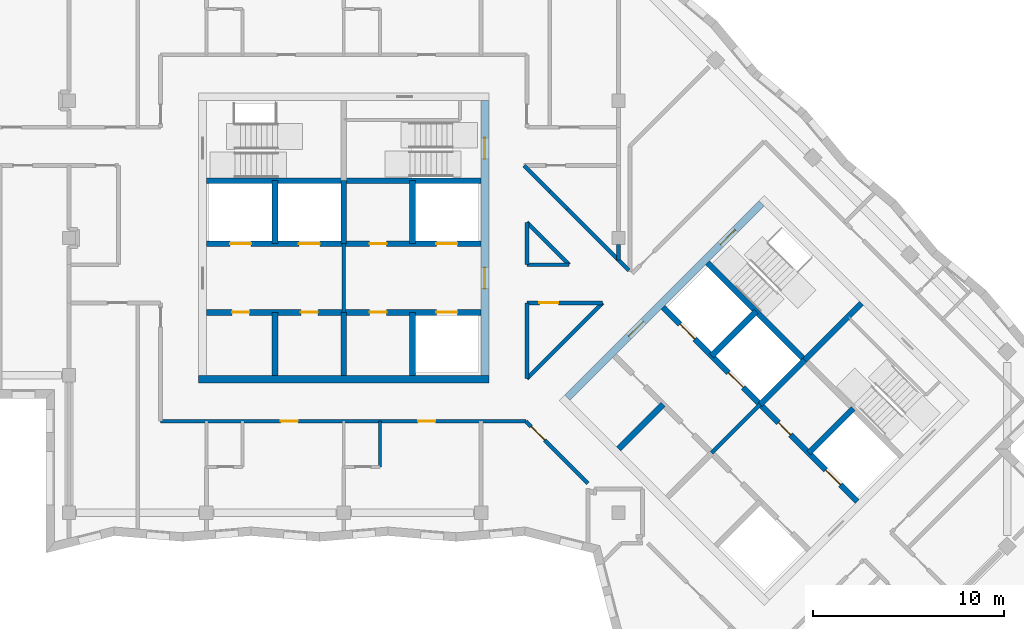
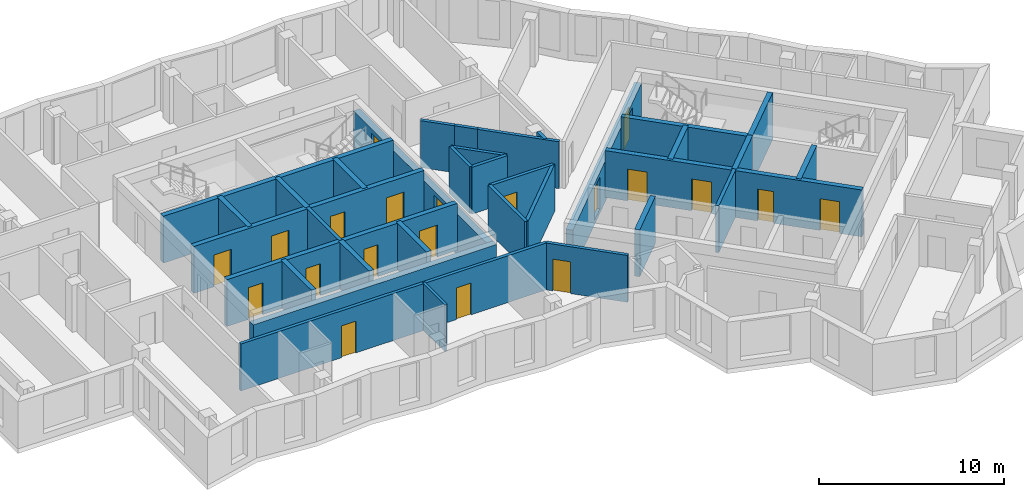
# One storey, part 4 of 13: 35 walls, 20 doors, 20 openings.
"""IFC4 building model written with IfcOpenShell, lengths in metres."""

from ifc_helpers import new_model, si_unit, direction, frame, frame_2d, origin, place, context, subcontext, project, spatial, rectangle, extrude, material, layer, layer_set, type_object, element, fill, save


model = new_model("IFC4")

# Units and contexts
model_context = context("Model", 3, precision=1e-05, world=origin(), true_north=direction((0.0, 1.0)))
body_context = subcontext(model_context, "Body", "Model", "MODEL_VIEW")
ifc_project = project(units=[si_unit("LENGTHUNIT", "METRE"), si_unit("AREAUNIT", "SQUARE_METRE"), si_unit("VOLUMEUNIT", "CUBIC_METRE"), si_unit("PLANEANGLEUNIT", "RADIAN"), si_unit("MASSUNIT", "GRAM", prefix="KILO")], contexts=[model_context])

# Site, building, storey
site_placement = place(None, origin())
site = spatial("IfcSite", under=ifc_project, at=site_placement, CompositionType="ELEMENT")
building_placement = place(site_placement, origin())
building = spatial("IfcBuilding", under=site, at=building_placement, Name="Windrow Commons", CompositionType="ELEMENT")
storey_placement = place(building_placement, frame((0.0, 0.0, 243.8)))
storey = spatial("IfcBuildingStorey", under=building, at=storey_placement, Name="L66", CompositionType="ELEMENT", Elevation=243.8)

# Walls
ifc_material_1 = material(Name="Blockwork partition", Category="masonry")
ifc_layer_1 = layer(ifc_material_1, 0.2)
ifc_layer_set_1 = layer_set([ifc_layer_1], Name="Fire lobby partition 200")
wall_type_1 = type_object("IfcWallType", Name="Fire lobby partition 200", PredefinedType="PARTITIONING", material=ifc_layer_set_1)
for number, where, z_axis, x_axis, name in (
    (1, (64.8, 53.7, 0.0), (0.0, 0.0, 1.0), (0.0, 1.0, 0.0), "W-core-lobby-A-L66"),
    (2, (84.079, 46.332, 0.0), (0.0, 0.0, 1.0), (0.7071067812, 0.7071067812, 0.0), "W-core-lobby-B-L66"),
):
    element("IfcWall", number, at=place(storey_placement, frame(where, z_axis=z_axis, x_axis=x_axis)), inside=storey, type_object=wall_type_1, Name=name, PredefinedType="PARTITIONING", context=body_context, shape_type="SweptSolid", body=[
        extrude(rectangle(XDim=3.6, YDim=0.2, at=frame_2d((1.8, 0.0))), origin(), (0.0, 0.0, 1.0), 3.1),
    ])

# Wall, openings, doors
ifc_material_2 = material(Name="Blockwork partition", Category="masonry")
ifc_layer_2 = layer(ifc_material_2, 0.2)
ifc_layer_set_2 = layer_set([ifc_layer_2], Name="IW-CORRIDOR-200")
wall_type_2 = type_object("IfcWallType", Name="IW-CORRIDOR-200", PredefinedType="PARTITIONING", material=ifc_layer_set_2)
wall_1_placement = place(storey_placement, frame((55.2, 48.0, 0.0), z_axis=(0.0, 0.0, 1.0), x_axis=(1.0, 0.0, 0.0)))
wall_1 = element("IfcWall", 3, at=wall_1_placement, inside=storey, type_object=wall_type_2, Name="W-L66-W001", PredefinedType="PARTITIONING", context=body_context, shape_type="SweptSolid", body=[
    extrude(rectangle(XDim=19.15, YDim=0.2, at=frame_2d((9.575, 0.0))), origin(), (0.0, 0.0, 1.0), 3.1),
])
opening_1_placement = place(wall_1_placement, frame((6.2994, 0.0, 0.0)))
opening_1 = element("IfcOpeningElement", 4, at=opening_1_placement, cuts=wall_1, Name="Opening D109F", PredefinedType="OPENING", context=body_context, shape_type="SweptSolid", body=[
    extrude(rectangle(XDim=0.9, YDim=2.1, at=frame_2d((0.45, 1.05))), frame((0.0, 0.11, 0.0), z_axis=(0.0, -1.0, 0.0), x_axis=(1.0, 0.0, 0.0)), (0.0, 0.0, 1.0), 0.22),
])
opening_2_placement = place(wall_1_placement, frame((13.4994, 0.0, 0.0)))
opening_2 = element("IfcOpeningElement", 5, at=opening_2_placement, cuts=wall_1, Name="Opening D109F", PredefinedType="OPENING", context=body_context, shape_type="SweptSolid", body=[
    extrude(rectangle(XDim=0.9, YDim=2.1, at=frame_2d((0.45, 1.05))), frame((0.0, 0.11, 0.0), z_axis=(0.0, -1.0, 0.0), x_axis=(1.0, 0.0, 0.0)), (0.0, 0.0, 1.0), 0.22),
])
ifc_material_3 = material(Name="Timber door leaf", Category="wood")
door_type_1 = type_object("IfcDoorType", Name="DT-BEDROOM-900", OperationType="SINGLE_SWING_LEFT", PredefinedType="DOOR", material=ifc_material_3)
door_1_placement = place(opening_1_placement, origin())
door_1 = element("IfcDoor", 6, at=door_1_placement, inside=storey, type_object=door_type_1, Name="D-L66-D021", OperationType="SINGLE_SWING_LEFT", OverallHeight=2.1, OverallWidth=0.9, PredefinedType="DOOR", context=body_context, shape_type="SweptSolid", body=[
    extrude(rectangle(XDim=0.9, YDim=2.1, at=frame_2d((0.45, 1.05))), frame((0.0, 0.025, 0.0), z_axis=(0.0, -1.0, 0.0), x_axis=(1.0, 0.0, 0.0)), (0.0, 0.0, 1.0), 0.05),
])
fill(opening_1, door_1)
door_2_placement = place(opening_2_placement, origin())
door_2 = element("IfcDoor", 7, at=door_2_placement, inside=storey, type_object=door_type_1, Name="D-L66-D023", OperationType="SINGLE_SWING_LEFT", OverallHeight=2.1, OverallWidth=0.9, PredefinedType="DOOR", context=body_context, shape_type="SweptSolid", body=[
    extrude(rectangle(XDim=0.9, YDim=2.1, at=frame_2d((0.45, 1.05))), frame((0.0, 0.025, 0.0), z_axis=(0.0, -1.0, 0.0), x_axis=(1.0, 0.0, 0.0)), (0.0, 0.0, 1.0), 0.05),
])
fill(opening_2, door_2)

# Wall
wall_2_placement = place(storey_placement, frame((74.4015, 50.2325, 0.0), z_axis=(0.0, 0.0, 1.0), x_axis=(0.7071067812, 0.7071067812, 0.0)))
element("IfcWall", 8, at=wall_2_placement, inside=storey, type_object=wall_type_2, Name="W-L66-W026", PredefinedType="PARTITIONING", context=body_context, shape_type="SweptSolid", body=[
    extrude(rectangle(XDim=5.6088, YDim=0.2, at=frame_2d((2.8044, 0.0))), origin(), (0.0, 0.0, 1.0), 3.1),
])

# Wall, opening, door
wall_3_placement = place(storey_placement, frame((74.3468, 47.9968, 0.0), z_axis=(0.0, 0.0, 1.0), x_axis=(0.7071067812, -0.7071067812, 0.0)))
wall_3 = element("IfcWall", 9, at=wall_3_placement, inside=storey, type_object=wall_type_2, Name="W-L66-W036", PredefinedType="PARTITIONING", context=body_context, shape_type="SweptSolid", body=[
    extrude(rectangle(XDim=4.5962, YDim=0.2, at=frame_2d((2.2981, 0.0))), origin(), (0.0, 0.0, 1.0), 3.1),
])
opening_3_placement = place(wall_3_placement, frame((0.4007, 0.0, 0.0)))
opening_3 = element("IfcOpeningElement", 10, at=opening_3_placement, cuts=wall_3, Name="Opening D310F", PredefinedType="OPENING", context=body_context, shape_type="SweptSolid", body=[
    extrude(rectangle(XDim=1.0, YDim=2.1, at=frame_2d((0.5, 1.05))), frame((0.0, 0.11, 0.0), z_axis=(0.0, -1.0, 0.0), x_axis=(1.0, 0.0, 0.0)), (0.0, 0.0, 1.0), 0.22),
])
ifc_material_4 = material(Name="Timber door leaf", Category="wood")
door_type_2 = type_object("IfcDoorType", Name="DT-AMENITY-1000", OperationType="SINGLE_SWING_LEFT", PredefinedType="DOOR", material=ifc_material_4)
door_3_placement = place(opening_3_placement, origin())
door_3 = element("IfcDoor", 11, at=door_3_placement, inside=storey, type_object=door_type_2, Name="D-L66-D025", OperationType="SINGLE_SWING_LEFT", OverallHeight=2.1, OverallWidth=1.0, PredefinedType="DOOR", context=body_context, shape_type="SweptSolid", body=[
    extrude(rectangle(XDim=1.0, YDim=2.1, at=frame_2d((0.5, 1.05))), frame((0.0, 0.025, 0.0), z_axis=(0.0, -1.0, 0.0), x_axis=(1.0, 0.0, 0.0)), (0.0, 0.0, 1.0), 0.05),
])
fill(opening_3, door_3)

# Walls
wall_4_placement = place(storey_placement, frame((76.5129, 59.1309, 0.0), z_axis=(0.0, 0.0, 1.0), x_axis=(0.7073586681, -0.7068548045, 0.0)))
element("IfcWall", 12, at=wall_4_placement, inside=storey, type_object=wall_type_2, Name="W-L66-W037", PredefinedType="PARTITIONING", context=body_context, shape_type="SweptSolid", body=[
    extrude(rectangle(XDim=4.5647, YDim=0.2, at=frame_2d((2.2824, 0.0))), origin(), (0.0, 0.0, 1.0), 3.1),
])
wall_5_placement = place(storey_placement, frame((74.4, 50.232, 0.0), z_axis=(0.0, 0.0, 1.0), x_axis=(0.0, 1.0, 0.0)))
element("IfcWall", 13, at=wall_5_placement, inside=storey, type_object=wall_type_2, Name="W-L66-W041", PredefinedType="PARTITIONING", context=body_context, shape_type="SweptSolid", body=[
    extrude(rectangle(XDim=3.968, YDim=0.2, at=frame_2d((1.984, 0.0))), origin(), (0.0, 0.0, 1.0), 3.1),
])

# Wall, opening, door
wall_6_placement = place(storey_placement, frame((74.402, 54.2, 0.0), z_axis=(0.0, 0.0, 1.0), x_axis=(1.0, 0.0, 0.0)))
wall_6 = element("IfcWall", 14, at=wall_6_placement, inside=storey, type_object=wall_type_2, Name="W-L66-W042", PredefinedType="PARTITIONING", context=body_context, shape_type="SweptSolid", body=[
    extrude(rectangle(XDim=3.966, YDim=0.2, at=frame_2d((1.983, 0.0))), origin(), (0.0, 0.0, 1.0), 3.1),
])
opening_4_placement = place(wall_6_placement, frame((0.6487, 0.0, 0.0)))
opening_4 = element("IfcOpeningElement", 15, at=opening_4_placement, cuts=wall_6, Name="Opening D410F", PredefinedType="OPENING", context=body_context, shape_type="SweptSolid", body=[
    extrude(rectangle(XDim=1.0, YDim=2.1, at=frame_2d((0.5, 1.05))), frame((0.0, 0.11, 0.0), z_axis=(0.0, -1.0, 0.0), x_axis=(1.0, 0.0, 0.0)), (0.0, 0.0, 1.0), 0.22),
])
ifc_material_5 = material(Name="Timber door leaf", Category="wood")
door_type_3 = type_object("IfcDoorType", Name="DT-SERVICE-1000", OperationType="SINGLE_SWING_LEFT", PredefinedType="DOOR", material=ifc_material_5)
door_4_placement = place(opening_4_placement, origin())
door_4 = element("IfcDoor", 16, at=door_4_placement, inside=storey, type_object=door_type_3, Name="D-L66-D000", OperationType="SINGLE_SWING_RIGHT", OverallHeight=2.1, OverallWidth=1.0, PredefinedType="DOOR", context=body_context, shape_type="SweptSolid", body=[
    extrude(rectangle(XDim=1.0, YDim=2.1, at=frame_2d((0.5, 1.05))), frame((0.0, 0.025, 0.0), z_axis=(0.0, -1.0, 0.0), x_axis=(1.0, 0.0, 0.0)), (0.0, 0.0, 1.0), 0.05),
])
fill(opening_4, door_4)

# Walls
wall_7_placement = place(storey_placement, frame((74.4055, 58.4175, 0.0), z_axis=(0.0, 0.0, 1.0), x_axis=(0.7071067812, -0.7071067812, 0.0)))
element("IfcWall", 17, at=wall_7_placement, inside=storey, type_object=wall_type_2, Name="W-L66-W052", PredefinedType="PARTITIONING", context=body_context, shape_type="SweptSolid", body=[
    extrude(rectangle(XDim=3.1282, YDim=0.2, at=frame_2d((1.5641, 0.0))), origin(), (0.0, 0.0, 1.0), 3.1),
])
for number, where, z_axis, x_axis, name in (
    (18, (74.4, 56.202, 0.0), (0.0, 0.0, 1.0), (0.0, 1.0, 0.0), "W-L66-W069"),
    (19, (74.402, 56.2, 0.0), (0.0, 0.0, 1.0), (1.0, 0.0, 0.0), "W-L66-W070"),
):
    element("IfcWall", number, at=place(storey_placement, frame(where, z_axis=z_axis, x_axis=x_axis)), inside=storey, type_object=wall_type_2, Name=name, PredefinedType="PARTITIONING", context=body_context, shape_type="SweptSolid", body=[
        extrude(rectangle(XDim=2.21, YDim=0.2, at=frame_2d((1.105, 0.0))), origin(), (0.0, 0.0, 1.0), 3.1),
    ])
wall_8_placement = place(storey_placement, frame((74.2426, 61.3946, 0.0), z_axis=(0.0, 0.0, 1.0), x_axis=(0.7071067812, -0.7071067812, 0.0)))
element("IfcWall", 20, at=wall_8_placement, inside=storey, type_object=wall_type_2, Name="W-L66-W083", PredefinedType="PARTITIONING", context=body_context, shape_type="SweptSolid", body=[
    extrude(rectangle(XDim=1.9148, YDim=0.2, at=frame_2d((0.9574, 0.0))), origin(), (0.0, 0.0, 1.0), 3.1),
])
wall_9_placement = place(storey_placement, frame((75.6023, 60.0463, 0.0), z_axis=(0.0, 0.0, 1.0), x_axis=(0.7063318703, -0.7078808437, 0.0)))
element("IfcWall", 21, at=wall_9_placement, inside=storey, type_object=wall_type_2, Name="W-L66-W091", PredefinedType="PARTITIONING", context=body_context, shape_type="SweptSolid", body=[
    extrude(rectangle(XDim=1.2912, YDim=0.2, at=frame_2d((0.6456, 0.0))), origin(), (0.0, 0.0, 1.0), 3.1),
])
ifc_material_6 = material(Name="Blockwork partition", Category="masonry")
ifc_layer_3 = layer(ifc_material_6, 0.15)
ifc_layer_set_3 = layer_set([ifc_layer_3], Name="IW-ENSUITE-150")
wall_type_3 = type_object("IfcWallType", Name="IW-ENSUITE-150", PredefinedType="PARTITIONING", material=ifc_layer_set_3)
wall_10_placement = place(storey_placement, frame((66.7, 45.6, 0.0), z_axis=(0.0, 0.0, 1.0), x_axis=(0.0, 1.0, 0.0)))
element("IfcWall", 22, at=wall_10_placement, inside=storey, type_object=wall_type_3, Name="W-L66-W063", PredefinedType="PARTITIONING", context=body_context, shape_type="SweptSolid", body=[
    extrude(rectangle(XDim=2.4, YDim=0.15, at=frame_2d((1.2, 0.0))), origin(), (0.0, 0.0, 1.0), 3.1),
])
ifc_material_7 = material(Name="Blockwork partition", Category="masonry")
ifc_layer_4 = layer(ifc_material_7, 0.2)
ifc_layer_set_4 = layer_set([ifc_layer_4], Name="IW-PARTY-200")
wall_type_4 = type_object("IfcWallType", Name="IW-PARTY-200", PredefinedType="PARTITIONING", material=ifc_layer_set_4)
wall_11_placement = place(storey_placement, frame((79.2, 56.444, 0.0), z_axis=(0.0, 0.0, 1.0), x_axis=(0.0, 1.0, 0.0)))
element("IfcWall", 23, at=wall_11_placement, inside=storey, type_object=wall_type_4, Name="W-L66-W108", PredefinedType="PARTITIONING", context=body_context, shape_type="SweptSolid", body=[
    extrude(rectangle(XDim=0.806, YDim=0.2, at=frame_2d((0.403, 0.0))), origin(), (0.0, 0.0, 1.0), 3.1),
])
ifc_material_8 = material(Name="Concrete C40/50", Category="concrete")
ifc_layer_5 = layer(ifc_material_8, 0.4)
ifc_layer_set_5 = layer_set([ifc_layer_5], Name="RC CORE WALL 400 C40/50")
wall_type_5 = type_object("IfcWallType", Name="RC CORE WALL 400 C40/50", PredefinedType="SHEAR", material=ifc_layer_set_5)
wall_12_placement = place(storey_placement, frame((57.2, 50.2, -0.3), z_axis=(0.0, 0.0, 1.0), x_axis=(1.0, 0.0, 0.0)))
element("IfcWall", 24, at=wall_12_placement, inside=storey, type_object=wall_type_5, Name="Core A wall outer-S", PredefinedType="SHEAR", context=body_context, shape_type="SweptSolid", body=[
    extrude(rectangle(XDim=15.2, YDim=0.4, at=frame_2d((7.6, 0.0))), origin(), (0.0, 0.0, 1.0), 2.7),
])

# Wall, openings, doors
wall_13_placement = place(storey_placement, frame((72.2, 50.4, -0.3), z_axis=(0.0, 0.0, 1.0), x_axis=(0.0, 1.0, 0.0)))
wall_13 = element("IfcWall", 25, at=wall_13_placement, inside=storey, type_object=wall_type_5, Name="Core A wall outer-E", PredefinedType="SHEAR", context=body_context, shape_type="SweptSolid", body=[
    extrude(rectangle(XDim=14.4, YDim=0.4, at=frame_2d((7.2, 0.0))), origin(), (0.0, 0.0, 1.0), 2.7),
])
opening_5_placement = place(wall_13_placement, frame((4.55, 0.0, 0.3)))
opening_5 = element("IfcOpeningElement", 26, at=opening_5_placement, cuts=wall_13, Name="Opening D6", PredefinedType="OPENING", context=body_context, shape_type="SweptSolid", body=[
    extrude(rectangle(XDim=1.1, YDim=2.1, at=frame_2d((0.55, 1.05))), frame((0.0, 0.21, 0.0), z_axis=(0.0, -1.0, 0.0), x_axis=(1.0, 0.0, 0.0)), (0.0, 0.0, 1.0), 0.42),
])
opening_6_placement = place(wall_13_placement, frame((11.35, 0.0, 0.3)))
opening_6 = element("IfcOpeningElement", 27, at=opening_6_placement, cuts=wall_13, Name="Opening D7", PredefinedType="OPENING", context=body_context, shape_type="SweptSolid", body=[
    extrude(rectangle(XDim=1.1, YDim=2.1, at=frame_2d((0.55, 1.05))), frame((0.0, 0.21, 0.0), z_axis=(0.0, -1.0, 0.0), x_axis=(1.0, 0.0, 0.0)), (0.0, 0.0, 1.0), 0.42),
])
ifc_material_9 = material(Name="Steel fire door leaf", Category="steel")
door_type_4 = type_object("IfcDoorType", Name="Core lobby door 1100", OperationType="SINGLE_SWING_LEFT", PredefinedType="DOOR", material=ifc_material_9)
door_5_placement = place(opening_5_placement, origin())
door_5 = element("IfcDoor", 28, at=door_5_placement, inside=storey, type_object=door_type_4, Name="Lift lobby door", OperationType="DOUBLE_DOOR_SINGLE_SWING", OverallHeight=2.1, OverallWidth=1.1, PredefinedType="DOOR", context=body_context, shape_type="SweptSolid", body=[
    extrude(rectangle(XDim=1.1, YDim=2.1, at=frame_2d((0.55, 1.05))), frame((0.0, 0.025, 0.0), z_axis=(0.0, -1.0, 0.0), x_axis=(1.0, 0.0, 0.0)), (0.0, 0.0, 1.0), 0.05),
])
fill(opening_5, door_5)
ifc_material_10 = material(Name="Steel fire door leaf", Category="steel")
door_type_5 = type_object("IfcDoorType", Name="Stair door 1100", OperationType="SINGLE_SWING_LEFT", PredefinedType="DOOR", material=ifc_material_10)
door_6_placement = place(opening_6_placement, origin())
door_6 = element("IfcDoor", 29, at=door_6_placement, inside=storey, type_object=door_type_5, Name="Stair door", OperationType="SINGLE_SWING_RIGHT", OverallHeight=2.1, OverallWidth=1.1, PredefinedType="DOOR", context=body_context, shape_type="SweptSolid", body=[
    extrude(rectangle(XDim=1.1, YDim=2.1, at=frame_2d((0.55, 1.05))), frame((0.0, 0.025, 0.0), z_axis=(0.0, -1.0, 0.0), x_axis=(1.0, 0.0, 0.0)), (0.0, 0.0, 1.0), 0.05),
])
fill(opening_6, door_6)

wall_14_placement = place(storey_placement, frame((76.513, 49.2312, -0.3), z_axis=(0.0, 0.0, 1.0), x_axis=(0.7071067812, 0.7071067812, 0.0)))
wall_14 = element("IfcWall", 30, at=wall_14_placement, inside=storey, type_object=wall_type_5, Name="Core B wall outer-W", PredefinedType="SHEAR", context=body_context, shape_type="SweptSolid", body=[
    extrude(rectangle(XDim=14.3999, YDim=0.4, at=frame_2d((7.2, 0.0))), origin(), (0.0, 0.0, 1.0), 2.7),
])
opening_7_placement = place(wall_14_placement, frame((4.55, 0.0, 0.3)))
opening_7 = element("IfcOpeningElement", 31, at=opening_7_placement, cuts=wall_14, Name="Opening D6", PredefinedType="OPENING", context=body_context, shape_type="SweptSolid", body=[
    extrude(rectangle(XDim=1.1, YDim=2.1, at=frame_2d((0.55, 1.05))), frame((0.0, 0.21, 0.0), z_axis=(0.0, -1.0, 0.0), x_axis=(1.0, 0.0, 0.0)), (0.0, 0.0, 1.0), 0.42),
])
opening_8_placement = place(wall_14_placement, frame((11.35, 0.0, 0.3)))
opening_8 = element("IfcOpeningElement", 32, at=opening_8_placement, cuts=wall_14, Name="Opening D7", PredefinedType="OPENING", context=body_context, shape_type="SweptSolid", body=[
    extrude(rectangle(XDim=1.1, YDim=2.1, at=frame_2d((0.55, 1.05))), frame((0.0, 0.21, 0.0), z_axis=(0.0, -1.0, 0.0), x_axis=(1.0, 0.0, 0.0)), (0.0, 0.0, 1.0), 0.42),
])
door_7_placement = place(opening_7_placement, origin())
door_7 = element("IfcDoor", 33, at=door_7_placement, inside=storey, type_object=door_type_4, Name="Lift lobby door", OperationType="DOUBLE_DOOR_SINGLE_SWING", OverallHeight=2.1, OverallWidth=1.1, PredefinedType="DOOR", context=body_context, shape_type="SweptSolid", body=[
    extrude(rectangle(XDim=1.1, YDim=2.1, at=frame_2d((0.55, 1.05))), frame((0.0, 0.025, 0.0), z_axis=(0.0, -1.0, 0.0), x_axis=(1.0, 0.0, 0.0)), (0.0, 0.0, 1.0), 0.05),
])
fill(opening_7, door_7)
door_8_placement = place(opening_8_placement, origin())
door_8 = element("IfcDoor", 34, at=door_8_placement, inside=storey, type_object=door_type_5, Name="Stair door", OperationType="SINGLE_SWING_LEFT", OverallHeight=2.1, OverallWidth=1.1, PredefinedType="DOOR", context=body_context, shape_type="SweptSolid", body=[
    extrude(rectangle(XDim=1.1, YDim=2.1, at=frame_2d((0.55, 1.05))), frame((0.0, 0.025, 0.0), z_axis=(0.0, -1.0, 0.0), x_axis=(1.0, 0.0, 0.0)), (0.0, 0.0, 1.0), 0.05),
])
fill(opening_8, door_8)

# Walls
ifc_material_11 = material(Name="Concrete C40/50", Category="concrete")
ifc_layer_6 = layer(ifc_material_11, 0.3)
ifc_layer_set_6 = layer_set([ifc_layer_6], Name="RC SHAFT WALL 300 C40/50")
wall_type_6 = type_object("IfcWallType", Name="RC SHAFT WALL 300 C40/50", PredefinedType="SOLIDWALL", material=ifc_layer_set_6)
for number, where, z_axis, x_axis, name in (
    (35, (61.2, 50.4, 0.0), (0.0, 0.0, 1.0), (0.0, 1.0, 0.0), "Core A wall shaft-S1"),
    (36, (61.2, 57.3, 0.0), (0.0, 0.0, 1.0), (0.0, 1.0, 0.0), "Core A wall shaft-N1"),
    (37, (64.8, 50.4, 0.0), (0.0, 0.0, 1.0), (0.0, 1.0, 0.0), "Core A wall shaft-S2"),
    (38, (64.8, 57.3, 0.0), (0.0, 0.0, 1.0), (0.0, 1.0, 0.0), "Core A wall shaft-N2"),
    (39, (68.4, 50.4, 0.0), (0.0, 0.0, 1.0), (0.0, 1.0, 0.0), "Core A wall shaft-S3"),
    (40, (68.4, 57.3, 0.0), (0.0, 0.0, 1.0), (0.0, 1.0, 0.0), "Core A wall shaft-N3"),
):
    element("IfcWall", number, at=place(storey_placement, frame(where, z_axis=z_axis, x_axis=x_axis)), inside=storey, type_object=wall_type_6, Name=name, PredefinedType="SOLIDWALL", context=body_context, shape_type="SweptSolid", body=[
        extrude(rectangle(XDim=3.3, YDim=0.3, at=frame_2d((1.65, 0.0))), origin(), (0.0, 0.0, 1.0), 3.1),
    ])

# Wall, openings, doors
wall_15_placement = place(storey_placement, frame((57.6, 53.7, 0.0), z_axis=(0.0, 0.0, 1.0), x_axis=(1.0, 0.0, 0.0)))
wall_15 = element("IfcWall", 41, at=wall_15_placement, inside=storey, type_object=wall_type_6, Name="Core A wall lobby-S", PredefinedType="SOLIDWALL", context=body_context, shape_type="SweptSolid", body=[
    extrude(rectangle(XDim=14.4, YDim=0.3, at=frame_2d((7.2, 0.0))), origin(), (0.0, 0.0, 1.0), 3.1),
])
opening_9_placement = place(wall_15_placement, frame((1.35, 0.0, 0.0)))
opening_9 = element("IfcOpeningElement", 42, at=opening_9_placement, cuts=wall_15, Name="Opening D8", PredefinedType="OPENING", context=body_context, shape_type="SweptSolid", body=[
    extrude(rectangle(XDim=0.9, YDim=2.1, at=frame_2d((0.45, 1.05))), frame((0.0, 0.16, 0.0), z_axis=(0.0, -1.0, 0.0), x_axis=(1.0, 0.0, 0.0)), (0.0, 0.0, 1.0), 0.32),
])
opening_10_placement = place(wall_15_placement, frame((4.95, 0.0, 0.0)))
opening_10 = element("IfcOpeningElement", 43, at=opening_10_placement, cuts=wall_15, Name="Opening D8", PredefinedType="OPENING", context=body_context, shape_type="SweptSolid", body=[
    extrude(rectangle(XDim=0.9, YDim=2.1, at=frame_2d((0.45, 1.05))), frame((0.0, 0.16, 0.0), z_axis=(0.0, -1.0, 0.0), x_axis=(1.0, 0.0, 0.0)), (0.0, 0.0, 1.0), 0.32),
])
opening_11_placement = place(wall_15_placement, frame((8.55, 0.0, 0.0)))
opening_11 = element("IfcOpeningElement", 44, at=opening_11_placement, cuts=wall_15, Name="Opening D8", PredefinedType="OPENING", context=body_context, shape_type="SweptSolid", body=[
    extrude(rectangle(XDim=0.9, YDim=2.1, at=frame_2d((0.45, 1.05))), frame((0.0, 0.16, 0.0), z_axis=(0.0, -1.0, 0.0), x_axis=(1.0, 0.0, 0.0)), (0.0, 0.0, 1.0), 0.32),
])
opening_12_placement = place(wall_15_placement, frame((12.05, 0.0, 0.0)))
opening_12 = element("IfcOpeningElement", 45, at=opening_12_placement, cuts=wall_15, Name="Opening LD", PredefinedType="OPENING", context=body_context, shape_type="SweptSolid", body=[
    extrude(rectangle(XDim=1.1, YDim=2.1, at=frame_2d((0.55, 1.05))), frame((0.0, 0.16, 0.0), z_axis=(0.0, -1.0, 0.0), x_axis=(1.0, 0.0, 0.0)), (0.0, 0.0, 1.0), 0.32),
])
ifc_material_12 = material(Name="Steel fire door leaf", Category="steel")
door_type_6 = type_object("IfcDoorType", Name="Core store door 900", OperationType="SINGLE_SWING_LEFT", PredefinedType="DOOR", material=ifc_material_12)
door_9_placement = place(opening_9_placement, origin())
door_9 = element("IfcDoor", 46, at=door_9_placement, inside=storey, type_object=door_type_6, Name="Store door", OperationType="SINGLE_SWING_LEFT", OverallHeight=2.1, OverallWidth=0.9, PredefinedType="DOOR", context=body_context, shape_type="SweptSolid", body=[
    extrude(rectangle(XDim=0.9, YDim=2.1, at=frame_2d((0.45, 1.05))), frame((0.0, 0.025, 0.0), z_axis=(0.0, -1.0, 0.0), x_axis=(1.0, 0.0, 0.0)), (0.0, 0.0, 1.0), 0.05),
])
fill(opening_9, door_9)
door_10_placement = place(opening_10_placement, origin())
door_10 = element("IfcDoor", 47, at=door_10_placement, inside=storey, type_object=door_type_6, Name="Store door", OperationType="SINGLE_SWING_LEFT", OverallHeight=2.1, OverallWidth=0.9, PredefinedType="DOOR", context=body_context, shape_type="SweptSolid", body=[
    extrude(rectangle(XDim=0.9, YDim=2.1, at=frame_2d((0.45, 1.05))), frame((0.0, 0.025, 0.0), z_axis=(0.0, -1.0, 0.0), x_axis=(1.0, 0.0, 0.0)), (0.0, 0.0, 1.0), 0.05),
])
fill(opening_10, door_10)
door_11_placement = place(opening_11_placement, origin())
door_11 = element("IfcDoor", 48, at=door_11_placement, inside=storey, type_object=door_type_6, Name="Store door", OperationType="SINGLE_SWING_LEFT", OverallHeight=2.1, OverallWidth=0.9, PredefinedType="DOOR", context=body_context, shape_type="SweptSolid", body=[
    extrude(rectangle(XDim=0.9, YDim=2.1, at=frame_2d((0.45, 1.05))), frame((0.0, 0.025, 0.0), z_axis=(0.0, -1.0, 0.0), x_axis=(1.0, 0.0, 0.0)), (0.0, 0.0, 1.0), 0.05),
])
fill(opening_11, door_11)
ifc_material_13 = material(Name="Stainless steel door leaf", Category="steel")
door_type_7 = type_object("IfcDoorType", Name="Lift landing door 1100", OperationType="SLIDING_TO_LEFT", PredefinedType="DOOR", material=ifc_material_13)
door_12_placement = place(opening_12_placement, origin())
door_12 = element("IfcDoor", 49, at=door_12_placement, inside=storey, type_object=door_type_7, Name="Lift landing door", OperationType="SLIDING_TO_RIGHT", OverallHeight=2.1, OverallWidth=1.1, PredefinedType="DOOR", context=body_context, shape_type="SweptSolid", body=[
    extrude(rectangle(XDim=1.1, YDim=2.1, at=frame_2d((0.55, 1.05))), frame((0.0, 0.025, 0.0), z_axis=(0.0, -1.0, 0.0), x_axis=(1.0, 0.0, 0.0)), (0.0, 0.0, 1.0), 0.05),
])
fill(opening_12, door_12)

wall_16_placement = place(storey_placement, frame((57.6, 57.3, 0.0), z_axis=(0.0, 0.0, 1.0), x_axis=(1.0, 0.0, 0.0)))
wall_16 = element("IfcWall", 50, at=wall_16_placement, inside=storey, type_object=wall_type_6, Name="Core A wall lobby-N", PredefinedType="SOLIDWALL", context=body_context, shape_type="SweptSolid", body=[
    extrude(rectangle(XDim=14.4, YDim=0.3, at=frame_2d((7.2, 0.0))), origin(), (0.0, 0.0, 1.0), 3.1),
])
opening_13_placement = place(wall_16_placement, frame((8.55, 0.0, 0.0)))
opening_13 = element("IfcOpeningElement", 51, at=opening_13_placement, cuts=wall_16, Name="Opening D8", PredefinedType="OPENING", context=body_context, shape_type="SweptSolid", body=[
    extrude(rectangle(XDim=0.9, YDim=2.1, at=frame_2d((0.45, 1.05))), frame((0.0, 0.16, 0.0), z_axis=(0.0, -1.0, 0.0), x_axis=(1.0, 0.0, 0.0)), (0.0, 0.0, 1.0), 0.32),
])
opening_14_placement = place(wall_16_placement, frame((1.25, 0.0, 0.0)))
opening_14 = element("IfcOpeningElement", 52, at=opening_14_placement, cuts=wall_16, Name="Opening LD", PredefinedType="OPENING", context=body_context, shape_type="SweptSolid", body=[
    extrude(rectangle(XDim=1.1, YDim=2.1, at=frame_2d((0.55, 1.05))), frame((0.0, 0.16, 0.0), z_axis=(0.0, -1.0, 0.0), x_axis=(1.0, 0.0, 0.0)), (0.0, 0.0, 1.0), 0.32),
])
opening_15_placement = place(wall_16_placement, frame((4.85, 0.0, 0.0)))
opening_15 = element("IfcOpeningElement", 53, at=opening_15_placement, cuts=wall_16, Name="Opening LD", PredefinedType="OPENING", context=body_context, shape_type="SweptSolid", body=[
    extrude(rectangle(XDim=1.1, YDim=2.1, at=frame_2d((0.55, 1.05))), frame((0.0, 0.16, 0.0), z_axis=(0.0, -1.0, 0.0), x_axis=(1.0, 0.0, 0.0)), (0.0, 0.0, 1.0), 0.32),
])
opening_16_placement = place(wall_16_placement, frame((12.05, 0.0, 0.0)))
opening_16 = element("IfcOpeningElement", 54, at=opening_16_placement, cuts=wall_16, Name="Opening LD", PredefinedType="OPENING", context=body_context, shape_type="SweptSolid", body=[
    extrude(rectangle(XDim=1.1, YDim=2.1, at=frame_2d((0.55, 1.05))), frame((0.0, 0.16, 0.0), z_axis=(0.0, -1.0, 0.0), x_axis=(1.0, 0.0, 0.0)), (0.0, 0.0, 1.0), 0.32),
])
door_13_placement = place(opening_13_placement, origin())
door_13 = element("IfcDoor", 55, at=door_13_placement, inside=storey, type_object=door_type_6, Name="Store door", OperationType="SINGLE_SWING_LEFT", OverallHeight=2.1, OverallWidth=0.9, PredefinedType="DOOR", context=body_context, shape_type="SweptSolid", body=[
    extrude(rectangle(XDim=0.9, YDim=2.1, at=frame_2d((0.45, 1.05))), frame((0.0, 0.025, 0.0), z_axis=(0.0, -1.0, 0.0), x_axis=(1.0, 0.0, 0.0)), (0.0, 0.0, 1.0), 0.05),
])
fill(opening_13, door_13)
door_14_placement = place(opening_14_placement, origin())
door_14 = element("IfcDoor", 56, at=door_14_placement, inside=storey, type_object=door_type_7, Name="Lift landing door", OperationType="SLIDING_TO_LEFT", OverallHeight=2.1, OverallWidth=1.1, PredefinedType="DOOR", context=body_context, shape_type="SweptSolid", body=[
    extrude(rectangle(XDim=1.1, YDim=2.1, at=frame_2d((0.55, 1.05))), frame((0.0, 0.025, 0.0), z_axis=(0.0, -1.0, 0.0), x_axis=(1.0, 0.0, 0.0)), (0.0, 0.0, 1.0), 0.05),
])
fill(opening_14, door_14)
door_15_placement = place(opening_15_placement, origin())
door_15 = element("IfcDoor", 57, at=door_15_placement, inside=storey, type_object=door_type_7, Name="Lift landing door", OperationType="SLIDING_TO_RIGHT", OverallHeight=2.1, OverallWidth=1.1, PredefinedType="DOOR", context=body_context, shape_type="SweptSolid", body=[
    extrude(rectangle(XDim=1.1, YDim=2.1, at=frame_2d((0.55, 1.05))), frame((0.0, 0.025, 0.0), z_axis=(0.0, -1.0, 0.0), x_axis=(1.0, 0.0, 0.0)), (0.0, 0.0, 1.0), 0.05),
])
fill(opening_15, door_15)
door_16_placement = place(opening_16_placement, origin())
door_16 = element("IfcDoor", 58, at=door_16_placement, inside=storey, type_object=door_type_7, Name="Lift landing door", OperationType="SLIDING_TO_RIGHT", OverallHeight=2.1, OverallWidth=1.1, PredefinedType="DOOR", context=body_context, shape_type="SweptSolid", body=[
    extrude(rectangle(XDim=1.1, YDim=2.1, at=frame_2d((0.55, 1.05))), frame((0.0, 0.025, 0.0), z_axis=(0.0, -1.0, 0.0), x_axis=(1.0, 0.0, 0.0)), (0.0, 0.0, 1.0), 0.05),
])
fill(opening_16, door_16)

# Walls
for number, where, z_axis, x_axis, name in (
    (59, (57.6, 60.6, 0.0), (0.0, 0.0, 1.0), (1.0, 0.0, 0.0), "Core A wall stair-S"),
    (60, (64.8, 60.6, 0.0), (0.0, 0.0, 1.0), (1.0, 0.0, 0.0), "Core A wall stair-S2"),
):
    element("IfcWall", number, at=place(storey_placement, frame(where, z_axis=z_axis, x_axis=x_axis)), inside=storey, type_object=wall_type_6, Name=name, PredefinedType="SOLIDWALL", context=body_context, shape_type="SweptSolid", body=[
        extrude(rectangle(XDim=7.2, YDim=0.3, at=frame_2d((3.6, 0.0))), origin(), (0.0, 0.0, 1.0), 3.1),
    ])
for number, where, z_axis, x_axis, name in (
    (61, (79.2, 46.5442, 0.0), (0.0, 0.0, 1.0), (0.7071219326, 0.7070916295, 0.0), "Core B wall shaft-S1"),
    (62, (84.079, 51.4232, 0.0), (0.0, 0.0, 1.0), (0.7071219326, 0.7070916295, 0.0), "Core B wall shaft-N1"),
):
    element("IfcWall", number, at=place(storey_placement, frame(where, z_axis=z_axis, x_axis=x_axis)), inside=storey, type_object=wall_type_6, Name=name, PredefinedType="SOLIDWALL", context=body_context, shape_type="SweptSolid", body=[
        extrude(rectangle(XDim=3.3, YDim=0.3, at=frame_2d((1.65, 0.0))), origin(), (0.0, 0.0, 1.0), 3.1),
    ])
for number, where, z_axis, x_axis, name in (
    (63, (86.6246, 48.8776, 0.0), (0.0, 0.0, 1.0), (0.7071067812, 0.7071067812, 0.0), "Core B wall shaft-N2"),
    (64, (89.1702, 46.332, 0.0), (0.0, 0.0, 1.0), (0.7071067812, 0.7071067812, 0.0), "Core B wall shaft-N3"),
):
    element("IfcWall", number, at=place(storey_placement, frame(where, z_axis=z_axis, x_axis=x_axis)), inside=storey, type_object=wall_type_6, Name=name, PredefinedType="SOLIDWALL", context=body_context, shape_type="SweptSolid", body=[
        extrude(rectangle(XDim=3.3001, YDim=0.3, at=frame_2d((1.6501, 0.0))), origin(), (0.0, 0.0, 1.0), 3.1),
    ])

# Wall, openings, doors
wall_17_placement = place(storey_placement, frame((81.5335, 53.9688, 0.0), z_axis=(0.0, 0.0, 1.0), x_axis=(0.707103309, -0.7071102534, 0.0)))
wall_17 = element("IfcWall", 65, at=wall_17_placement, inside=storey, type_object=wall_type_6, Name="Core B wall lobby-N", PredefinedType="SOLIDWALL", context=body_context, shape_type="SweptSolid", body=[
    extrude(rectangle(XDim=14.4, YDim=0.3, at=frame_2d((7.2, 0.0))), origin(), (0.0, 0.0, 1.0), 3.1),
])
opening_17_placement = place(wall_17_placement, frame((8.55, 0.0, 0.0)))
opening_17 = element("IfcOpeningElement", 66, at=opening_17_placement, cuts=wall_17, Name="Opening D8", PredefinedType="OPENING", context=body_context, shape_type="SweptSolid", body=[
    extrude(rectangle(XDim=0.9, YDim=2.1, at=frame_2d((0.45, 1.05))), frame((0.0, 0.16, 0.0), z_axis=(0.0, -1.0, 0.0), x_axis=(1.0, 0.0, 0.0)), (0.0, 0.0, 1.0), 0.32),
])
opening_18_placement = place(wall_17_placement, frame((1.25, 0.0, 0.0)))
opening_18 = element("IfcOpeningElement", 67, at=opening_18_placement, cuts=wall_17, Name="Opening LD", PredefinedType="OPENING", context=body_context, shape_type="SweptSolid", body=[
    extrude(rectangle(XDim=1.1, YDim=2.1, at=frame_2d((0.55, 1.05))), frame((0.0, 0.16, 0.0), z_axis=(0.0, -1.0, 0.0), x_axis=(1.0, 0.0, 0.0)), (0.0, 0.0, 1.0), 0.32),
])
opening_19_placement = place(wall_17_placement, frame((4.85, 0.0, 0.0)))
opening_19 = element("IfcOpeningElement", 68, at=opening_19_placement, cuts=wall_17, Name="Opening LD", PredefinedType="OPENING", context=body_context, shape_type="SweptSolid", body=[
    extrude(rectangle(XDim=1.1, YDim=2.1, at=frame_2d((0.55, 1.05))), frame((0.0, 0.16, 0.0), z_axis=(0.0, -1.0, 0.0), x_axis=(1.0, 0.0, 0.0)), (0.0, 0.0, 1.0), 0.32),
])
opening_20_placement = place(wall_17_placement, frame((12.05, 0.0, 0.0)))
opening_20 = element("IfcOpeningElement", 69, at=opening_20_placement, cuts=wall_17, Name="Opening LD", PredefinedType="OPENING", context=body_context, shape_type="SweptSolid", body=[
    extrude(rectangle(XDim=1.1, YDim=2.1, at=frame_2d((0.55, 1.05))), frame((0.0, 0.16, 0.0), z_axis=(0.0, -1.0, 0.0), x_axis=(1.0, 0.0, 0.0)), (0.0, 0.0, 1.0), 0.32),
])
door_17_placement = place(opening_17_placement, origin())
door_17 = element("IfcDoor", 70, at=door_17_placement, inside=storey, type_object=door_type_6, Name="Store door", OperationType="SINGLE_SWING_LEFT", OverallHeight=2.1, OverallWidth=0.9, PredefinedType="DOOR", context=body_context, shape_type="SweptSolid", body=[
    extrude(rectangle(XDim=0.9, YDim=2.1, at=frame_2d((0.45, 1.05))), frame((0.0, 0.025, 0.0), z_axis=(0.0, -1.0, 0.0), x_axis=(1.0, 0.0, 0.0)), (0.0, 0.0, 1.0), 0.05),
])
fill(opening_17, door_17)
door_18_placement = place(opening_18_placement, origin())
door_18 = element("IfcDoor", 71, at=door_18_placement, inside=storey, type_object=door_type_7, Name="Lift landing door", OperationType="SLIDING_TO_LEFT", OverallHeight=2.1, OverallWidth=1.1, PredefinedType="DOOR", context=body_context, shape_type="SweptSolid", body=[
    extrude(rectangle(XDim=1.1, YDim=2.1, at=frame_2d((0.55, 1.05))), frame((0.0, 0.025, 0.0), z_axis=(0.0, -1.0, 0.0), x_axis=(1.0, 0.0, 0.0)), (0.0, 0.0, 1.0), 0.05),
])
fill(opening_18, door_18)
door_19_placement = place(opening_19_placement, origin())
door_19 = element("IfcDoor", 72, at=door_19_placement, inside=storey, type_object=door_type_7, Name="Lift landing door", OperationType="SLIDING_TO_RIGHT", OverallHeight=2.1, OverallWidth=1.1, PredefinedType="DOOR", context=body_context, shape_type="SweptSolid", body=[
    extrude(rectangle(XDim=1.1, YDim=2.1, at=frame_2d((0.55, 1.05))), frame((0.0, 0.025, 0.0), z_axis=(0.0, -1.0, 0.0), x_axis=(1.0, 0.0, 0.0)), (0.0, 0.0, 1.0), 0.05),
])
fill(opening_19, door_19)
door_20_placement = place(opening_20_placement, origin())
door_20 = element("IfcDoor", 73, at=door_20_placement, inside=storey, type_object=door_type_7, Name="Lift landing door", OperationType="SLIDING_TO_RIGHT", OverallHeight=2.1, OverallWidth=1.1, PredefinedType="DOOR", context=body_context, shape_type="SweptSolid", body=[
    extrude(rectangle(XDim=1.1, YDim=2.1, at=frame_2d((0.55, 1.05))), frame((0.0, 0.025, 0.0), z_axis=(0.0, -1.0, 0.0), x_axis=(1.0, 0.0, 0.0)), (0.0, 0.0, 1.0), 0.05),
])
fill(opening_20, door_20)

# Walls
wall_18_placement = place(storey_placement, frame((83.8669, 56.3022, 0.0), z_axis=(0.0, 0.0, 1.0), x_axis=(0.7071137256, -0.7070998367, 0.0)))
element("IfcWall", 74, at=wall_18_placement, inside=storey, type_object=wall_type_6, Name="Core B wall stair-S", PredefinedType="SOLIDWALL", context=body_context, shape_type="SweptSolid", body=[
    extrude(rectangle(XDim=7.2, YDim=0.3, at=frame_2d((3.6, 0.0))), origin(), (0.0, 0.0, 1.0), 3.1),
])
wall_19_placement = place(storey_placement, frame((88.9581, 51.2111, 0.0), z_axis=(0.0, 0.0, 1.0), x_axis=(0.7071067812, 0.7071067812, 0.0)))
element("IfcWall", 75, at=wall_19_placement, inside=storey, type_object=wall_type_6, Name="Core B wall stair-mid", PredefinedType="SOLIDWALL", context=body_context, shape_type="SweptSolid", body=[
    extrude(rectangle(XDim=4.1999, YDim=0.3, at=frame_2d((2.1, 0.0))), origin(), (0.0, 0.0, 1.0), 3.1),
])

save(model, "model.ifc")
